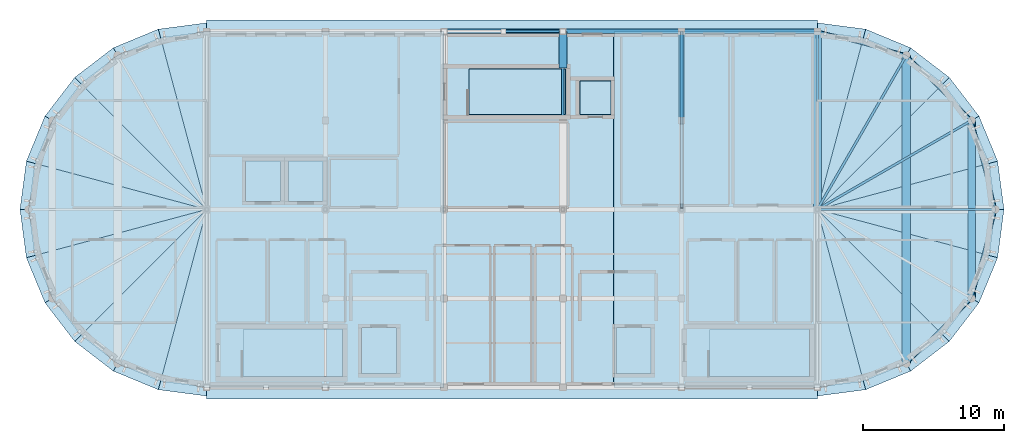
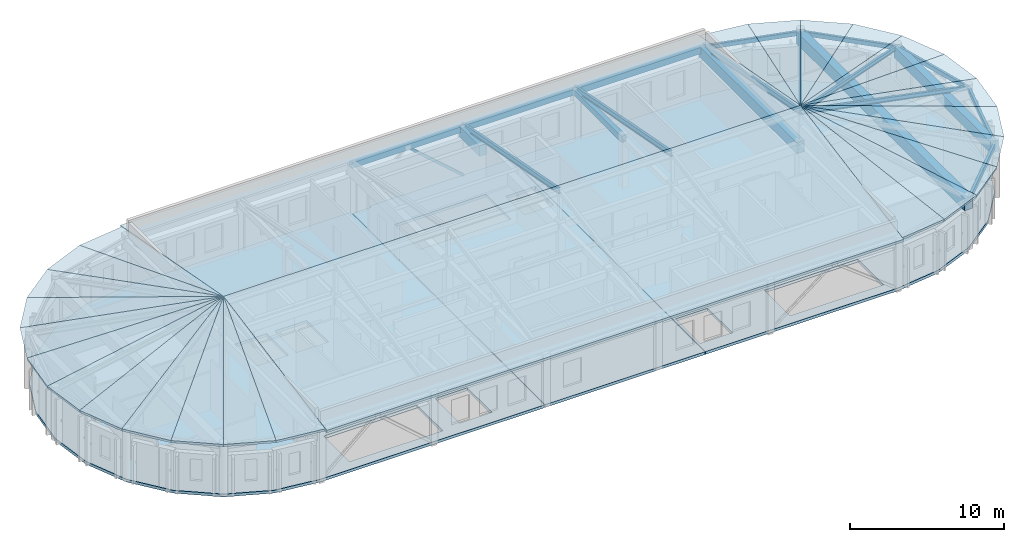
# One storey, part 5 of 11: 29 slabs, 19 beams, 1 member.
"""IFC4 building model written with IfcOpenShell, lengths in metres."""

import ifcopenshell
import ifcopenshell.guid

model = None  # the IFC model being written
_history = None  # IfcOwnerHistory: only IFC2X3 demands one
_inside = {}  # id of a spatial element -> (the spatial element, [elements in it])
_under = {}  # id of a project, library or spatial element -> (it, [spatial elements below it])
_declared = {}  # id of a project -> (the project, [libraries it declares])
_typed = {}  # id of a type object -> (the type object, [elements of that type])
_made_of = {}  # id of a material, layer set ... -> (it, [elements and type objects made of it])


def new_model(schema):
    """Start an empty IFC model of exactly this schema.

    Asked for "IFC4X3", IfcOpenShell would pick the latest addendum, in which some entities
    have other attributes; the version numbers below select the first issue.
    IFC2X3 requires an IfcOwnerHistory on every rooted entity: one is made here for all.
    """
    global model, _history
    if schema == "IFC4X3":
        model = ifcopenshell.file(schema_version=(4, 3, 0, 0))
    else:
        model = ifcopenshell.file(schema=schema)
    _inside.clear()
    _under.clear()
    _declared.clear()
    _typed.clear()
    _made_of.clear()
    _history = None
    if model.schema == "IFC2X3":
        org = make("IfcOrganization", Name="unknown")
        user = make(
            "IfcPersonAndOrganization",
            ThePerson=make("IfcPerson", FamilyName="unknown"),
            TheOrganization=org,
        )
        app = make(
            "IfcApplication",
            ApplicationDeveloper=org,
            Version="unknown",
            ApplicationFullName="unknown",
            ApplicationIdentifier="unknown",
        )
        _history = make(
            "IfcOwnerHistory",
            OwningUser=user,
            OwningApplication=app,
            ChangeAction="ADDED",
            CreationDate=0,
        )
    return model


def make(cls, **values):
    """One entity of the class cls with the attributes given. An attribute that is None is left unset."""
    return model.create_entity(
        cls, **{name: value for name, value in values.items() if value is not None}
    )


def rooted(cls, **values):
    """An entity with a GlobalId (a new one), such as an element, a storey or a relation."""
    return make(cls, GlobalId=ifcopenshell.guid.new(), OwnerHistory=_history, **values)


def si_unit(unit_type, name, prefix=None):
    """IfcSIUnit, for example si_unit("LENGTHUNIT", "METRE", prefix="MILLI")."""
    return make("IfcSIUnit", UnitType=unit_type, Prefix=prefix, Name=name)


def assignment(units):
    """IfcUnitAssignment: the units of a project."""
    return None if units is None else make("IfcUnitAssignment", Units=units)


def point(xyz):
    """IfcCartesianPoint."""
    return None if xyz is None else make("IfcCartesianPoint", Coordinates=xyz)


def direction(xyz):
    """IfcDirection."""
    return None if xyz is None else make("IfcDirection", DirectionRatios=xyz)


def frame(location, z_axis=None, x_axis=None):
    """IfcAxis2Placement3D, a coordinate frame: its origin and axes. An axis left out is left unset."""
    return make(
        "IfcAxis2Placement3D",
        Location=point(location),
        Axis=direction(z_axis),
        RefDirection=direction(x_axis),
    )


def frame_2d(location, x_axis=None):
    """IfcAxis2Placement2D, a coordinate frame in the plane: its origin and x axis."""
    return make(
        "IfcAxis2Placement2D", Location=point(location), RefDirection=direction(x_axis)
    )


def origin():
    """The frame at (0, 0, 0) with its axes left unset."""
    return frame((0.0, 0.0, 0.0))


def origin_2d():
    """The frame at (0, 0) in the plane with its x axis left unset."""
    return frame_2d((0.0, 0.0))


def place(relative_to, where):
    """IfcLocalPlacement: puts the frame where relative to a parent placement (None: the world)."""
    return make(
        "IfcLocalPlacement", PlacementRelTo=relative_to, RelativePlacement=where
    )


def context(
    kind, dimensions, precision=None, world=None, true_north=None, identifier=None
):
    """IfcGeometricRepresentationContext, for example the 3D "Model" context."""
    return make(
        "IfcGeometricRepresentationContext",
        ContextIdentifier=identifier,
        ContextType=kind,
        CoordinateSpaceDimension=dimensions,
        Precision=precision,
        WorldCoordinateSystem=world,
        TrueNorth=true_north,
    )


def subcontext(parent, identifier, kind, view, scale=None):
    """IfcGeometricRepresentationSubContext, for example "Body" below "Model"."""
    return make(
        "IfcGeometricRepresentationSubContext",
        ContextIdentifier=identifier,
        ContextType=kind,
        ParentContext=parent,
        TargetScale=scale,
        TargetView=view,
    )


def project(units=None, contexts=None):
    """IfcProject with its units and contexts."""
    return rooted(
        "IfcProject",
        Name="project",
        RepresentationContexts=contexts,
        UnitsInContext=assignment(units),
    )


def spatial(cls, under=None, at=None, **own):
    """A site, building, storey or space (cls), placed at a placement, below another one or the project."""
    s = rooted(cls, ObjectPlacement=at, **own)
    if under is not None:
        _under.setdefault(under.id(), (under, []))[1].append(s)
    return s


def polyline(points):
    """IfcPolyline through the points."""
    return make("IfcPolyline", Points=[point(p) for p in points])


def profile(cls, at=None, kind="AREA", **sizes):
    """A parametric profile (cls). Its sizes go by their IFC names, for example OverallWidth=200.0."""
    return make(cls, ProfileType=kind, Position=at, **sizes)


def rectangle(**sizes):
    """IfcRectangleProfileDef."""
    return profile("IfcRectangleProfileDef", **sizes)


def hollow_rectangle(**sizes):
    """IfcRectangleHollowProfileDef."""
    return profile("IfcRectangleHollowProfileDef", **sizes)


def i_section(**sizes):
    """IfcIShapeProfileDef."""
    return profile("IfcIShapeProfileDef", **sizes)


def outline(outer, holes=None, kind="AREA"):
    """IfcArbitraryClosedProfileDef: a profile drawn as a closed curve; with holes, ...WithVoids."""
    if holes is None:
        return make("IfcArbitraryClosedProfileDef", ProfileType=kind, OuterCurve=outer)
    return make(
        "IfcArbitraryProfileDefWithVoids",
        ProfileType=kind,
        OuterCurve=outer,
        InnerCurves=holes,
    )


def extrude(swept, where, along, depth):
    """IfcExtrudedAreaSolid: the profile swept, set in the frame where, extruded along a direction by depth."""
    return make(
        "IfcExtrudedAreaSolid",
        SweptArea=swept,
        Position=where,
        ExtrudedDirection=direction(along),
        Depth=depth,
    )


def shape(context_of_items, identifier, shape_type, items):
    """IfcShapeRepresentation: the items that make up one representation, for example the "Body"."""
    return make(
        "IfcShapeRepresentation",
        ContextOfItems=context_of_items,
        RepresentationIdentifier=identifier,
        RepresentationType=shape_type,
        Items=items,
    )


def material(Name=None, Category=None):
    """IfcMaterial."""
    return make("IfcMaterial", Name=Name, Category=Category)


def layer(
    of_material, thickness, ventilated=None, Name=None, Category=None, Priority=None
):
    """IfcMaterialLayer: one layer of a wall or slab, of a material (None: an air gap)."""
    return make(
        "IfcMaterialLayer",
        Material=of_material,
        LayerThickness=thickness,
        IsVentilated=ventilated,
        Name=Name,
        Category=Category,
        Priority=Priority,
    )


def layer_set(layers, Name=None):
    """IfcMaterialLayerSet."""
    return make("IfcMaterialLayerSet", MaterialLayers=layers, LayerSetName=Name)


def material_profile(
    of_material, cross_section, Name=None, Category=None, Priority=None
):
    """IfcMaterialProfile: a cross section and its material."""
    return make(
        "IfcMaterialProfile",
        Name=Name,
        Material=of_material,
        Profile=cross_section,
        Priority=Priority,
        Category=Category,
    )


def profile_set(profiles, Name=None, composite=None):
    """IfcMaterialProfileSet."""
    return make(
        "IfcMaterialProfileSet",
        Name=Name,
        MaterialProfiles=profiles,
        CompositeProfile=composite,
    )


def made_of(thing, what):
    """Note that an element or type object is made of a material, layer set ...; save() writes the relation."""
    if what is not None:
        _made_of.setdefault(what.id(), (what, []))[1].append(thing)
    return thing


def type_object(cls, material=None, **own):
    """A type object (cls), such as IfcWallType, which elements share."""
    return made_of(rooted(cls, **own), material)


def element(
    cls,
    number,
    at=None,
    inside=None,
    cuts=None,
    type_object=None,
    material=None,
    context=None,
    identifier="Body",
    shape_type=None,
    held_by="IfcProductDefinitionShape",
    body=None,
    shapes=None,
    **own,
):
    """One element of the class cls, such as IfcWall. Its Tag is "e" and its number.

    at: its placement. inside: the storey or other place that contains it. cuts: it is an
    opening in that element (IfcRelVoidsElement). A single representation is given by context,
    identifier, shape_type and body (its items); several are given by shapes. held_by: the class
    of the entity that holds the representations. save() writes the other relations.
    """
    e = rooted(cls, Tag="e%d" % number, ObjectPlacement=at, **own)
    if body is not None:
        shapes = [shape(context, identifier, shape_type, body)]
    if shapes is not None:
        e.Representation = make(held_by, Representations=shapes)
    if inside is not None:
        _inside.setdefault(inside.id(), (inside, []))[1].append(e)
    if cuts is not None:
        rooted(
            "IfcRelVoidsElement", RelatingBuildingElement=cuts, RelatedOpeningElement=e
        )
    if type_object is not None:
        _typed.setdefault(type_object.id(), (type_object, []))[1].append(e)
    return made_of(e, material)


def aggregate(whole, parts):
    """IfcRelAggregates: a whole, such as a stair, and the parts it consists of."""
    return rooted("IfcRelAggregates", RelatingObject=whole, RelatedObjects=parts)


def save(model, path):
    """Write the relations noted so far, then the file.

    IfcRelAggregates (storeys below a building ...), IfcRelContainedInSpatialStructure (elements
    in a storey), IfcRelDefinesByType, IfcRelAssociatesMaterial and IfcRelDeclares: one each for
    every whole, place, type object, material and project.
    """
    for whole, parts in _under.values():
        aggregate(whole, parts)
    for where, things in _inside.values():
        rooted(
            "IfcRelContainedInSpatialStructure",
            RelatedElements=things,
            RelatingStructure=where,
        )
    for kind, things in _typed.values():
        rooted("IfcRelDefinesByType", RelatedObjects=things, RelatingType=kind)
    for what, things in _made_of.values():
        rooted("IfcRelAssociatesMaterial", RelatedObjects=things, RelatingMaterial=what)
    for by, libraries in _declared.values():
        rooted("IfcRelDeclares", RelatingContext=by, RelatedDefinitions=libraries)
    model.write(path)


model = new_model("IFC4")

# Units and contexts
model_context = context("Model", 3, precision=1e-05, world=origin(), true_north=direction((0.0, 1.0)))
body_context = subcontext(model_context, "Body", "Model", "MODEL_VIEW")
ifc_project = project(units=[si_unit("LENGTHUNIT", "METRE"), si_unit("AREAUNIT", "SQUARE_METRE"), si_unit("VOLUMEUNIT", "CUBIC_METRE"), si_unit("PLANEANGLEUNIT", "RADIAN"), si_unit("MASSUNIT", "GRAM", prefix="KILO")], contexts=[model_context])

# Site, building, storey
site_placement = place(None, origin())
site = spatial("IfcSite", under=ifc_project, at=site_placement, CompositionType="ELEMENT")
building_placement = place(site_placement, origin())
building = spatial("IfcBuilding", under=site, at=building_placement, Name="Tarnavel Promenade Courthouse", CompositionType="ELEMENT")
storey_placement = place(building_placement, frame((0.0, 0.0, 35.39990234375)))
storey = spatial("IfcBuildingStorey", under=building, at=storey_placement, Name="L09", CompositionType="ELEMENT", Elevation=35.39990234375)

# Beams
ifc_material_1 = material(Name="Concrete C40/50", Category="concrete")
ifc_material_profile_1 = material_profile(ifc_material_1, rectangle(XDim=0.550048828125, YDim=0.85009765625, at=origin_2d()), Name="PT 550x850")
ifc_profile_set_1 = profile_set([ifc_material_profile_1], Name="Concrete C40/50")
beam_type_1 = type_object("IfcBeamType", Name="Concrete C40/50 BM-PT-550x850 (PT 550x850)", PredefinedType="T_BEAM", material=ifc_profile_set_1)
beam_1_placement = place(storey_placement, frame((84.0, 101.7900390625, 3.53515625), z_axis=(0.0, 1.0, 0.0), x_axis=(-1.0, 0.0, 0.0)))
element("IfcBeam", 1, at=beam_1_placement, inside=storey, type_object=beam_type_1, Name="L09 Transverse Girder 2670", PredefinedType="T_BEAM", context=body_context, shape_type="SweptSolid", body=[
    extrude(rectangle(XDim=0.550048828125, YDim=0.85009765625, at=origin_2d()), origin(), (0.0, 0.0, 1.0), 2.60986328125),
])
beam_2_placement = place(storey_placement, frame((102.0, 91.800048828125, 3.53515625), z_axis=(0.0, 1.0, 0.0), x_axis=(-1.0, 0.0, 0.0)))
element("IfcBeam", 2, at=beam_2_placement, inside=storey, type_object=beam_type_1, Name="L09 Transverse Girder 2676", PredefinedType="T_BEAM", context=body_context, shape_type="SweptSolid", body=[
    extrude(rectangle(XDim=0.550048828125, YDim=0.85009765625, at=origin_2d()), origin(), (0.0, 0.0, 1.0), 12.599853515625),
])
beam_3_placement = place(storey_placement, frame((112.911865234375, 85.5, 3.53515625), z_axis=(0.0, 1.0, 0.0), x_axis=(-1.0, 0.0, 0.0)))
element("IfcBeam", 3, at=beam_3_placement, inside=storey, type_object=beam_type_1, Name="L09 Transverse Girder 2678", PredefinedType="T_BEAM", context=body_context, shape_type="SweptSolid", body=[
    extrude(rectangle(XDim=0.550048828125, YDim=0.85009765625, at=origin_2d()), origin(), (0.0, 0.0, 1.0), 12.60009765625),
])
ifc_material_profile_2 = material_profile(ifc_material_1, rectangle(XDim=0.60009765625, YDim=0.949951171875, at=origin_2d()), Name="PT 600x950")
ifc_profile_set_2 = profile_set([ifc_material_profile_2], Name="Concrete C40/50")
beam_type_2 = type_object("IfcBeamType", Name="Concrete C40/50 BM-PT-600x950 (PT 600x950)", PredefinedType="T_BEAM", material=ifc_profile_set_2)
beam_4_placement = place(storey_placement, frame((108.300048828125, 80.88818359375, 3.485107421875), z_axis=(0.0, 1.0, 0.0), x_axis=(-1.0, 0.0, 0.0)))
element("IfcBeam", 4, at=beam_4_placement, inside=storey, type_object=beam_type_2, Name="L09 Transverse Girder 2677", PredefinedType="T_BEAM", context=body_context, shape_type="SweptSolid", body=[
    extrude(rectangle(XDim=0.60009765625, YDim=0.949951171875, at=origin_2d()), origin(), (0.0, 0.0, 1.0), 21.82373046875),
])
ifc_material_profile_3 = material_profile(ifc_material_1, rectangle(XDim=0.35009765625, YDim=0.449951171875, at=origin_2d()), Name="RC 350x450")
ifc_profile_set_3 = profile_set([ifc_material_profile_3], Name="Concrete C40/50")
beam_type_3 = type_object("IfcBeamType", Name="Concrete C40/50 BM-RC-350x450 (RC 350x450)", PredefinedType="BEAM", material=ifc_profile_set_3)
beam_5_placement = place(storey_placement, frame((92.39990234375, 98.10009765625, 3.735107421875), z_axis=(0.0, 1.0, 0.0), x_axis=(-1.0, 0.0, 0.0)))
element("IfcBeam", 5, at=beam_5_placement, inside=storey, type_object=beam_type_3, Name="L09 Transverse Girder 2674", PredefinedType="BEAM", context=body_context, shape_type="SweptSolid", body=[
    extrude(rectangle(XDim=0.35009765625, YDim=0.449951171875, at=origin_2d()), origin(), (0.0, 0.0, 1.0), 6.2998046875),
])
ifc_material_profile_4 = material_profile(ifc_material_1, rectangle(XDim=0.300048828125, YDim=0.449951171875, at=origin_2d()), Name="RC 300x450")
ifc_profile_set_4 = profile_set([ifc_material_profile_4], Name="Concrete C40/50")
beam_type_4 = type_object("IfcBeamType", Name="Concrete C40/50 BM-SP-300x450 (RC 300x450)", PredefinedType="SPANDREL", material=ifc_profile_set_4)
for number, where, z_axis, x_axis, name in (
    (6, (75.60009765625, 104.39990234375, 3.735107421875), (1.0, 0.0, 0.0), (0.0, 1.0, 0.0), "L09 Primary Longitudinal Beam 2653"),
    (7, (84.0, 104.39990234375, 3.735107421875), (1.0, 0.0, 0.0), (0.0, 1.0, 0.0), "L09 Primary Longitudinal Beam 2654"),
):
    element("IfcBeam", number, at=place(storey_placement, frame(where, z_axis=z_axis, x_axis=x_axis)), inside=storey, type_object=beam_type_4, Name=name, PredefinedType="SPANDREL", context=body_context, shape_type="SweptSolid", body=[
        extrude(rectangle(XDim=0.300048828125, YDim=0.449951171875, at=origin_2d()), origin(), (0.0, 0.0, 1.0), 8.39990234375),
    ])
ifc_material_profile_5 = material_profile(ifc_material_1, rectangle(XDim=0.300048828125, YDim=0.5, at=origin_2d()), Name="RC 300x500")
ifc_profile_set_5 = profile_set([ifc_material_profile_5], Name="Concrete C40/50")
beam_type_5 = type_object("IfcBeamType", Name="Concrete C40/50 BM-SP-300x500 (RC 300x500)", PredefinedType="SPANDREL", material=ifc_profile_set_5)
beam_6_placement = place(storey_placement, frame((92.39990234375, 104.39990234375, 3.710205078125), z_axis=(1.0, 0.0, 0.0), x_axis=(0.0, 1.0, 0.0)))
element("IfcBeam", 8, at=beam_6_placement, inside=storey, type_object=beam_type_5, Name="L09 Primary Longitudinal Beam 2655", PredefinedType="SPANDREL", context=body_context, shape_type="SweptSolid", body=[
    extrude(rectangle(XDim=0.300048828125, YDim=0.5, at=origin_2d()), origin(), (0.0, 0.0, 1.0), 9.60009765625),
])
ifc_material_2 = material(Name="Steel S355J2", Category="steel")
ifc_material_profile_6 = material_profile(ifc_material_2, i_section(OverallWidth=0.159912109375, OverallDepth=0.330078125, WebThickness=0.007568359375, FlangeThickness=0.011474609375, FilletRadius=0.01806640625, at=origin_2d()), Name="IPE 330")
ifc_profile_set_6 = profile_set([ifc_material_profile_6], Name="Steel S355J2")
beam_type_6 = type_object("IfcBeamType", Name="Steel S355J2 BM-ST-IPE330 (IPE 330)", PredefinedType="JOIST", material=ifc_profile_set_6)
for number, where, z_axis, x_axis, name in (
    (9, (114.60009765625, 91.800048828125, 3.85009765625), (-0.981323111304, 0.0, 0.192366710271), (0.0, -1.0, 0.0), "L09 E Drum Radial Roof Rafter 07"),
    (10, (112.911865234375, 98.10009765625, 3.85009765625), (-0.849847727594, -0.490666083691, 0.192368485514), (0.500004791531, -0.866022637375, 0.0), "L09 E Drum Radial Roof Rafter 09"),
    (11, (108.300048828125, 102.7119140625, 3.85009765625), (-0.490666083691, -0.849847727594, 0.192368485514), (0.866022637375, -0.500004791531, 0.0), "L09 E Drum Radial Roof Rafter 11"),
):
    element("IfcBeam", number, at=place(storey_placement, frame(where, z_axis=z_axis, x_axis=x_axis)), inside=storey, type_object=beam_type_6, Name=name, PredefinedType="JOIST", context=body_context, shape_type="SweptSolid", body=[
        extrude(i_section(OverallWidth=0.159912109375, OverallDepth=0.330078125, WebThickness=0.007568359375, FlangeThickness=0.011474609375, FilletRadius=0.01806640625, at=origin_2d()), origin(), (0.0, 0.0, 1.0), 12.83984375),
    ])
ifc_material_profile_7 = material_profile(ifc_material_2, i_section(OverallWidth=0.179931640625, OverallDepth=0.39990234375, WebThickness=0.008544921875, FlangeThickness=0.013427734375, FilletRadius=0.02099609375, at=origin_2d()), Name="IPE 400")
ifc_profile_set_7 = profile_set([ifc_material_profile_7], Name="Steel S355J2")
beam_type_7 = type_object("IfcBeamType", Name="Steel S355J2 BM-ST-IPE400 (IPE 400)", PredefinedType="BEAM", material=ifc_profile_set_7)
for number, where, z_axis, x_axis, name in (
    (12, (84.0, 91.89501953125, 6.320068359375), (0.0, 0.982511581608, -0.186201482286), (-1.0, 0.0, 0.0), "L09 Bar Roof Rafter N"),
    (13, (92.39990234375, 91.89501953125, 6.320068359375), (0.0, 0.982511581608, -0.186201482286), (-1.0, 0.0, 0.0), "L09 Bar Roof Rafter N"),
    (14, (102.0, 91.89501953125, 6.320068359375), (0.0, 0.982511581608, -0.186201482286), (-1.0, 0.0, 0.0), "L09 Bar Roof Rafter N"),
):
    element("IfcBeam", number, at=place(storey_placement, frame(where, z_axis=z_axis, x_axis=x_axis)), inside=storey, type_object=beam_type_7, Name=name, PredefinedType="BEAM", context=body_context, shape_type="SweptSolid", body=[
        extrude(i_section(OverallWidth=0.179931640625, OverallDepth=0.39990234375, WebThickness=0.008544921875, FlangeThickness=0.013427734375, FilletRadius=0.02099609375, at=origin_2d()), origin(), (0.0, 0.0, 1.0), 12.7275390625),
    ])
ifc_material_profile_8 = material_profile(ifc_material_2, hollow_rectangle(XDim=0.199951171875, YDim=0.35009765625, WallThickness=0.012451171875, InnerFilletRadius=0.012451171875, OuterFilletRadius=0.02490234375, at=origin_2d()), Name="RHS 350x200x12.5")
ifc_profile_set_8 = profile_set([ifc_material_profile_8], Name="Steel S355J2")
beam_type_8 = type_object("IfcBeamType", Name="Steel S355J2 BM-ST-RHS350 (RHS 350x200x12.5)", PredefinedType="SPANDREL", material=ifc_profile_set_8)
beam_7_placement = place(storey_placement, frame((108.300048828125, 80.88818359375, 3.78515625), z_axis=(0.707106781187, 0.707106781187, 0.0), x_axis=(-0.707106781187, 0.707106781187, 0.0)))
element("IfcBeam", 15, at=beam_7_placement, inside=storey, type_object=beam_type_8, Name="L09 Drum Ring Spandrel 2690", PredefinedType="SPANDREL", context=body_context, shape_type="SweptSolid", body=[
    extrude(hollow_rectangle(XDim=0.199951171875, YDim=0.35009765625, WallThickness=0.012451171875, InnerFilletRadius=0.012451171875, OuterFilletRadius=0.02490234375, at=origin_2d()), origin(), (0.0, 0.0, 1.0), 6.52197265625),
])
for number, where, z_axis, x_axis, name in (
    (16, (112.911865234375, 85.5, 3.78515625), (0.258838989821, 0.965920481897, 0.0), (-0.965920481897, 0.258838989821, 0.0), "L09 Drum Ring Spandrel 2691"),
    (17, (114.60009765625, 91.800048828125, 3.78515625), (-0.258838989821, 0.965920481897, 0.0), (-0.965920481897, -0.258838989821, 0.0), "L09 Drum Ring Spandrel 2692"),
):
    element("IfcBeam", number, at=place(storey_placement, frame(where, z_axis=z_axis, x_axis=x_axis)), inside=storey, type_object=beam_type_8, Name=name, PredefinedType="SPANDREL", context=body_context, shape_type="SweptSolid", body=[
        extrude(hollow_rectangle(XDim=0.199951171875, YDim=0.35009765625, WallThickness=0.012451171875, InnerFilletRadius=0.012451171875, OuterFilletRadius=0.02490234375, at=origin_2d()), origin(), (0.0, 0.0, 1.0), 6.522216796875),
    ])
beam_8_placement = place(storey_placement, frame((112.911865234375, 98.10009765625, 3.78515625), z_axis=(-0.707106781187, 0.707106781187, 0.0), x_axis=(-0.707106781187, -0.707106781187, 0.0)))
element("IfcBeam", 18, at=beam_8_placement, inside=storey, type_object=beam_type_8, Name="L09 Drum Ring Spandrel 2693", PredefinedType="SPANDREL", context=body_context, shape_type="SweptSolid", body=[
    extrude(hollow_rectangle(XDim=0.199951171875, YDim=0.35009765625, WallThickness=0.012451171875, InnerFilletRadius=0.012451171875, OuterFilletRadius=0.02490234375, at=origin_2d()), origin(), (0.0, 0.0, 1.0), 6.52197265625),
])
beam_9_placement = place(storey_placement, frame((108.300048828125, 102.7119140625, 3.78515625), z_axis=(-0.965929839907, 0.258804065612, 0.0), x_axis=(-0.258804065612, -0.965929839907, 0.0)))
element("IfcBeam", 19, at=beam_9_placement, inside=storey, type_object=beam_type_8, Name="L09 Drum Ring Spandrel 2694", PredefinedType="SPANDREL", context=body_context, shape_type="SweptSolid", body=[
    extrude(hollow_rectangle(XDim=0.199951171875, YDim=0.35009765625, WallThickness=0.012451171875, InnerFilletRadius=0.012451171875, OuterFilletRadius=0.02490234375, at=origin_2d()), origin(), (0.0, 0.0, 1.0), 6.522216796875),
])

# Member
ifc_material_profile_9 = material_profile(ifc_material_2, hollow_rectangle(XDim=0.199951171875, YDim=0.199951171875, WallThickness=0.012451171875, InnerFilletRadius=0.012451171875, OuterFilletRadius=0.02490234375, at=origin_2d()), Name="SHS 200x200x12.5")
ifc_profile_set_9 = profile_set([ifc_material_profile_9], Name="Steel S355J2")
member_type = type_object("IfcMemberType", Name="Steel S355J2 MEM-BR-SHS200 (SHS 200x200x12.5)", PredefinedType="BRACE", material=ifc_profile_set_9)
member_placement = place(storey_placement, frame((84.0, 104.39990234375, 0.0), z_axis=(-0.749451235067, 0.0, 0.662059548876), x_axis=(0.0, -1.0, 0.0)))
element("IfcMember", 20, at=member_placement, inside=storey, type_object=member_type, Name="L09 V5 Chevron Brace B 027", PredefinedType="BRACE", context=body_context, shape_type="SweptSolid", body=[
    extrude(hollow_rectangle(XDim=0.199951171875, YDim=0.199951171875, WallThickness=0.012451171875, InnerFilletRadius=0.012451171875, OuterFilletRadius=0.02490234375, at=origin_2d()), origin(), (0.0, 0.0, 1.0), 5.60400390625),
])

# Slabs
ifc_material_3 = material(Name="Concrete C35/45", Category="concrete")
ifc_layer_1 = layer(ifc_material_3, 0.219970703125)
ifc_layer_set_1 = layer_set([ifc_layer_1], Name="Concrete C35/45")
slab_type_1 = type_object("IfcSlabType", Name="Concrete C35/45 SLB-FLR-220 (220 mm)", PredefinedType="FLOOR", material=ifc_layer_set_1)
slab_1_placement = place(storey_placement, frame((0.0, 0.0, -0.219970703125)))
element("IfcSlab", 21, at=slab_1_placement, inside=storey, type_object=slab_type_1, Name="L09 Stacked Courts West Drum Floor Slab", PredefinedType="FLOOR", context=body_context, shape_type="SweptSolid", body=[
    extrude(outline(polyline([(75.580078125, 79.219970703125), (75.580078125, 104.3798828125), (58.800048828125, 104.39990234375), (55.538818359375, 103.970703125), (52.5, 102.7119140625), (49.890380859375, 100.70947265625), (47.88818359375, 98.10009765625), (46.62939453125, 95.06103515625), (46.199951171875, 91.800048828125), (46.62939453125, 88.538818359375), (47.88818359375, 85.5), (49.890380859375, 82.890380859375), (52.5, 80.88818359375), (55.538818359375, 79.62939453125), (58.800048828125, 79.199951171875), (75.580078125, 79.219970703125)]), holes=[polyline([(61.405029296875, 80.0), (68.39990234375, 80.0), (68.39990234375, 83.320068359375), (61.405029296875, 83.320068359375), (61.405029296875, 80.0)]), polyline([(69.800048828125, 80.199951171875), (72.199951171875, 80.199951171875), (72.199951171875, 83.39990234375), (69.800048828125, 83.39990234375), (69.800048828125, 80.199951171875)]), polyline([(61.60009765625, 92.39990234375), (64.0, 92.39990234375), (64.0, 95.199951171875), (61.60009765625, 95.199951171875), (61.60009765625, 92.39990234375)]), polyline([(64.60009765625, 92.39990234375), (67.0, 92.39990234375), (67.0, 95.199951171875), (64.60009765625, 95.199951171875), (64.60009765625, 92.39990234375)])]), origin(), (0.0, 0.0, 1.0), 0.219970703125),
])
slab_2_placement = place(storey_placement, frame((0.0, 0.0, -0.219970703125)))
element("IfcSlab", 22, at=slab_2_placement, inside=storey, type_object=slab_type_1, Name="L09 Stacked Courts Central Floor Slab", PredefinedType="FLOOR", context=body_context, shape_type="SweptSolid", body=[
    extrude(outline(polyline([(75.6201171875, 79.219970703125), (87.580078125, 79.219970703125), (87.580078125, 104.3798828125), (77.02001953125, 104.3798828125), (77.02001953125, 104.219970703125), (75.6201171875, 104.219970703125), (75.6201171875, 79.219970703125)]), holes=[polyline([(77.364990234375, 98.5), (84.199951171875, 98.5), (84.199951171875, 101.739990234375), (77.364990234375, 101.739990234375), (77.364990234375, 98.5)]), polyline([(85.199951171875, 98.5), (87.39990234375, 98.5), (87.39990234375, 100.89990234375), (85.199951171875, 100.89990234375), (85.199951171875, 98.5)])]), origin(), (0.0, 0.0, 1.0), 0.219970703125),
])
slab_3_placement = place(storey_placement, frame((0.0, 0.0, -0.219970703125)))
element("IfcSlab", 23, at=slab_3_placement, inside=storey, type_object=slab_type_1, Name="L09 Stacked Courts East Drum Floor Slab", PredefinedType="FLOOR", context=body_context, shape_type="SweptSolid", body=[
    extrude(outline(polyline([(87.6201171875, 104.3798828125), (87.6201171875, 79.219970703125), (102.0, 79.199951171875), (105.26123046875, 79.62939453125), (108.300048828125, 80.88818359375), (110.909423828125, 82.890380859375), (112.911865234375, 85.5), (114.170654296875, 88.538818359375), (114.60009765625, 91.800048828125), (114.170654296875, 95.06103515625), (112.911865234375, 98.10009765625), (110.909423828125, 100.70947265625), (108.300048828125, 102.7119140625), (105.26123046875, 103.970703125), (102.0, 104.39990234375), (87.6201171875, 104.3798828125)]), holes=[polyline([(94.405029296875, 80.0), (101.39990234375, 80.0), (101.39990234375, 83.320068359375), (94.405029296875, 83.320068359375), (94.405029296875, 80.0)]), polyline([(87.800048828125, 80.199951171875), (90.199951171875, 80.199951171875), (90.199951171875, 83.39990234375), (87.800048828125, 83.39990234375), (87.800048828125, 80.199951171875)])]), origin(), (0.0, 0.0, 1.0), 0.219970703125),
])
ifc_layer_2 = layer(ifc_material_3, 0.215087890625)
ifc_layer_set_2 = layer_set([ifc_layer_2], Name="Concrete C35/45")
slab_type_2 = type_object("IfcSlabType", Name="Concrete C35/45 SLB-RF-215 (215 mm)", PredefinedType="ROOF", material=ifc_layer_set_2)
slab_4_placement = place(storey_placement, frame((58.800048828125, 105.0, 4.35009765625), z_axis=(-0.024392215239, 0.18531197614, 0.982376959896), x_axis=(-0.991448024656, -0.130502162456, 0.0)))
element("IfcSlab", 24, at=slab_4_placement, inside=storey, type_object=slab_type_2, Name="L09 W Copper Drum Conical Roof Sector 01", PredefinedType="ROOF", context=body_context, shape_type="SweptSolid", body=[
    extrude(outline(polyline([(0.0, 0.0), (3.4459737891309037, 0.0), (1.722622172249891, 13.321836778719371), (0.0, 0.0)])), origin(), (0.0, 0.0, -1.0), 0.215087890625),
])
slab_5_placement = place(storey_placement, frame((55.383544921875, 104.55029296875, 4.35009765625), z_axis=(-0.07153498449, 0.172679784847, 0.982376932699), x_axis=(-0.923863121095, -0.382723050626, 0.0)))
element("IfcSlab", 25, at=slab_5_placement, inside=storey, type_object=slab_type_2, Name="L09 W Copper Drum Conical Roof Sector 02", PredefinedType="ROOF", context=body_context, shape_type="SweptSolid", body=[
    extrude(outline(polyline([(0.0, 0.0), (3.4459582564847153, 0.0), (1.723430371657734, 13.321826590535332), (0.0, 0.0)])), origin(), (0.0, 0.0, -1.0), 0.215087890625),
])
slab_6_placement = place(storey_placement, frame((52.199951171875, 103.2314453125, 4.35009765625), z_axis=(-0.113786422697, 0.148285215892, 0.982376783499), x_axis=(-0.79334513726, -0.608772119258, 0.0)))
element("IfcSlab", 26, at=slab_6_placement, inside=storey, type_object=slab_type_2, Name="L09 W Copper Drum Conical Roof Sector 03", PredefinedType="ROOF", context=body_context, shape_type="SweptSolid", body=[
    extrude(outline(polyline([(0.0, 0.0), (3.445716687149708, 0.0), (1.7229600828500402, 13.32177069969327), (0.0, 0.0)])), origin(), (0.0, 0.0, -1.0), 0.215087890625),
])
slab_7_placement = place(storey_placement, frame((49.46630859375, 101.1337890625, 4.35009765625), z_axis=(-0.148283481653, 0.113788172696, 0.982376842573), x_axis=(-0.608782493242, -0.793337176693, 0.0)))
element("IfcSlab", 27, at=slab_7_placement, inside=storey, type_object=slab_type_2, Name="L09 W Copper Drum Conical Roof Sector 04", PredefinedType="ROOF", context=body_context, shape_type="SweptSolid", body=[
    extrude(outline(polyline([(0.0, 0.0), (3.446059001227659, 0.0), (1.7225854743688327, 13.321792828908492), (0.0, 0.0)])), origin(), (0.0, 0.0, -1.0), 0.215087890625),
])
slab_8_placement = place(storey_placement, frame((47.368408203125, 98.39990234375, 4.35009765625), z_axis=(-0.172684220374, 0.071523579313, 0.982376983462), x_axis=(-0.382662577423, -0.923888170635, 0.0)))
element("IfcSlab", 28, at=slab_8_placement, inside=storey, type_object=slab_type_2, Name="L09 W Copper Drum Conical Roof Sector 05", PredefinedType="ROOF", context=body_context, shape_type="SweptSolid", body=[
    extrude(outline(polyline([(0.0, 0.0), (3.445864825621817, 0.0), (1.723065525270938, 13.321845606737972), (0.0, 0.0)])), origin(), (0.0, 0.0, -1.0), 0.215087890625),
])
slab_9_placement = place(storey_placement, frame((46.0498046875, 95.21630859375, 4.35009765625), z_axis=(-0.185311968261, 0.024393957374, 0.982376918124), x_axis=(-0.130511329852, -0.991446817928, 0.0)))
element("IfcSlab", 29, at=slab_9_placement, inside=storey, type_object=slab_type_2, Name="L09 W Copper Drum Conical Roof Sector 06", PredefinedType="ROOF", context=body_context, shape_type="SweptSolid", body=[
    extrude(outline(polyline([(0.0, 0.0), (3.4457317365378097, 0.0), (1.722988555110305, 13.321821130686752), (0.0, 0.0)])), origin(), (0.0, 0.0, -1.0), 0.215087890625),
])
slab_10_placement = place(storey_placement, frame((45.60009765625, 91.800048828125, 4.35009765625), z_axis=(-0.18531197614, -0.024392215239, 0.982376959896), x_axis=(0.130502162456, -0.991448024656, 0.0)))
element("IfcSlab", 30, at=slab_10_placement, inside=storey, type_object=slab_type_2, Name="L09 W Copper Drum Conical Roof Sector 07", PredefinedType="ROOF", context=body_context, shape_type="SweptSolid", body=[
    extrude(outline(polyline([(0.0, 0.0), (3.4459737891309037, 0.0), (1.722622172249891, 13.321836778719371), (0.0, 0.0)])), origin(), (0.0, 0.0, -1.0), 0.215087890625),
])
slab_11_placement = place(storey_placement, frame((46.0498046875, 88.383544921875, 4.35009765625), z_axis=(-0.172683030723, -0.071523086575, 0.982377228455), x_axis=(0.382662577423, -0.923888170635, 0.0)))
element("IfcSlab", 31, at=slab_11_placement, inside=storey, type_object=slab_type_2, Name="L09 W Copper Drum Conical Roof Sector 08", PredefinedType="ROOF", context=body_context, shape_type="SweptSolid", body=[
    extrude(outline(polyline([(0.0, 0.0), (3.445864825621817, -2.220446049250313e-16), (1.72257374171547, 13.321937383826683), (0.0, 0.0)])), origin(), (0.0, 0.0, -1.0), 0.215087890625),
])
slab_12_placement = place(storey_placement, frame((47.368408203125, 85.199951171875, 4.35009765625), z_axis=(-0.148277761276, -0.113793945043, 0.982377037386), x_axis=(0.608816711234, -0.793310917687, 0.0)))
element("IfcSlab", 32, at=slab_12_placement, inside=storey, type_object=slab_type_2, Name="L09 W Copper Drum Conical Roof Sector 09", PredefinedType="ROOF", context=body_context, shape_type="SweptSolid", body=[
    extrude(outline(polyline([(0.0, 0.0), (3.4458653185988597, 0.0), (1.723844320816184, 13.321865806862784), (0.0, 0.0)])), origin(), (0.0, 0.0, -1.0), 0.215087890625),
])
slab_13_placement = place(storey_placement, frame((49.46630859375, 82.46630859375, 4.35009765625), z_axis=(-0.113793945043, -0.148277761276, 0.982377037386), x_axis=(0.793310917687, -0.608816711234, 0.0)))
element("IfcSlab", 33, at=slab_13_placement, inside=storey, type_object=slab_type_2, Name="L09 W Copper Drum Conical Roof Sector 10", PredefinedType="ROOF", context=body_context, shape_type="SweptSolid", body=[
    extrude(outline(polyline([(0.0, 0.0), (3.4458653185988597, 0.0), (1.7220209977826757, 13.321865806862784), (0.0, 0.0)])), origin(), (0.0, 0.0, -1.0), 0.215087890625),
])
slab_14_placement = place(storey_placement, frame((52.199951171875, 80.368408203125, 4.35009765625), z_axis=(-0.071523086575, -0.172683030723, 0.982377228455), x_axis=(0.923888170635, -0.382662577423, 0.0)))
element("IfcSlab", 34, at=slab_14_placement, inside=storey, type_object=slab_type_2, Name="L09 W Copper Drum Conical Roof Sector 11", PredefinedType="ROOF", context=body_context, shape_type="SweptSolid", body=[
    extrude(outline(polyline([(0.0, 0.0), (3.445864825621817, 2.220446049250313e-16), (1.7232910839063473, 13.321937383826683), (0.0, 0.0)])), origin(), (0.0, 0.0, -1.0), 0.215087890625),
])
slab_15_placement = place(storey_placement, frame((55.383544921875, 79.0498046875, 4.35009765625), z_axis=(-0.024392215239, -0.18531197614, 0.982376959896), x_axis=(0.991448024656, -0.130502162456, 0.0)))
element("IfcSlab", 35, at=slab_15_placement, inside=storey, type_object=slab_type_2, Name="L09 W Copper Drum Conical Roof Sector 12", PredefinedType="ROOF", context=body_context, shape_type="SweptSolid", body=[
    extrude(outline(polyline([(0.0, 0.0), (3.4459737891309037, 0.0), (1.7233516168810128, 13.321836778719371), (0.0, 0.0)])), origin(), (0.0, 0.0, -1.0), 0.215087890625),
])
slab_16_placement = place(storey_placement, frame((102.0, 78.60009765625, 4.35009765625), z_axis=(0.024392215239, -0.18531197614, 0.982376959896), x_axis=(0.991448024656, 0.130502162456, 0.0)))
element("IfcSlab", 36, at=slab_16_placement, inside=storey, type_object=slab_type_2, Name="L09 E Copper Drum Conical Roof Sector 01", PredefinedType="ROOF", context=body_context, shape_type="SweptSolid", body=[
    extrude(outline(polyline([(0.0, 0.0), (3.4459737891309037, 0.0), (1.722622172249891, 13.321836778719371), (0.0, 0.0)])), origin(), (0.0, 0.0, -1.0), 0.215087890625),
])
slab_17_placement = place(storey_placement, frame((105.41650390625, 79.0498046875, 4.35009765625), z_axis=(0.071523086575, -0.172683030723, 0.982377228455), x_axis=(0.923888170635, 0.382662577423, 0.0)))
element("IfcSlab", 37, at=slab_17_placement, inside=storey, type_object=slab_type_2, Name="L09 E Copper Drum Conical Roof Sector 02", PredefinedType="ROOF", context=body_context, shape_type="SweptSolid", body=[
    extrude(outline(polyline([(0.0, 0.0), (3.445864825621817, -2.220446049250313e-16), (1.72257374171547, 13.321937383826683), (0.0, 0.0)])), origin(), (0.0, 0.0, -1.0), 0.215087890625),
])
slab_18_placement = place(storey_placement, frame((108.60009765625, 80.368408203125, 4.35009765625), z_axis=(0.113793945043, -0.148277761276, 0.982377037386), x_axis=(0.793310917687, 0.608816711234, 0.0)))
element("IfcSlab", 38, at=slab_18_placement, inside=storey, type_object=slab_type_2, Name="L09 E Copper Drum Conical Roof Sector 03", PredefinedType="ROOF", context=body_context, shape_type="SweptSolid", body=[
    extrude(outline(polyline([(0.0, 0.0), (3.4458653185988597, 0.0), (1.723844320816184, 13.321865806862784), (0.0, 0.0)])), origin(), (0.0, 0.0, -1.0), 0.215087890625),
])
slab_19_placement = place(storey_placement, frame((111.333740234375, 82.46630859375, 4.35009765625), z_axis=(0.148277761276, -0.113793945043, 0.982377037386), x_axis=(0.608816711234, 0.793310917687, 0.0)))
element("IfcSlab", 39, at=slab_19_placement, inside=storey, type_object=slab_type_2, Name="L09 E Copper Drum Conical Roof Sector 04", PredefinedType="ROOF", context=body_context, shape_type="SweptSolid", body=[
    extrude(outline(polyline([(0.0, 0.0), (3.4458653185988597, 0.0), (1.7220209977826757, 13.321865806862784), (0.0, 0.0)])), origin(), (0.0, 0.0, -1.0), 0.215087890625),
])
slab_20_placement = place(storey_placement, frame((113.431640625, 85.199951171875, 4.35009765625), z_axis=(0.172683030723, -0.071523086575, 0.982377228455), x_axis=(0.382662577423, 0.923888170635, 0.0)))
element("IfcSlab", 40, at=slab_20_placement, inside=storey, type_object=slab_type_2, Name="L09 E Copper Drum Conical Roof Sector 05", PredefinedType="ROOF", context=body_context, shape_type="SweptSolid", body=[
    extrude(outline(polyline([(0.0, 0.0), (3.445864825621817, 2.220446049250313e-16), (1.7232910839063473, 13.321937383826683), (0.0, 0.0)])), origin(), (0.0, 0.0, -1.0), 0.215087890625),
])
slab_21_placement = place(storey_placement, frame((114.750244140625, 88.383544921875, 4.35009765625), z_axis=(0.18531197614, -0.024392215239, 0.982376959896), x_axis=(0.130502162456, 0.991448024656, 0.0)))
element("IfcSlab", 41, at=slab_21_placement, inside=storey, type_object=slab_type_2, Name="L09 E Copper Drum Conical Roof Sector 06", PredefinedType="ROOF", context=body_context, shape_type="SweptSolid", body=[
    extrude(outline(polyline([(0.0, 0.0), (3.4459737891309037, 0.0), (1.7233516168810128, 13.321836778719371), (0.0, 0.0)])), origin(), (0.0, 0.0, -1.0), 0.215087890625),
])
slab_22_placement = place(storey_placement, frame((115.199951171875, 91.800048828125, 4.35009765625), z_axis=(0.185311968261, 0.024393957374, 0.982376918124), x_axis=(-0.130511329852, 0.991446817928, 0.0)))
element("IfcSlab", 42, at=slab_22_placement, inside=storey, type_object=slab_type_2, Name="L09 E Copper Drum Conical Roof Sector 07", PredefinedType="ROOF", context=body_context, shape_type="SweptSolid", body=[
    extrude(outline(polyline([(0.0, 0.0), (3.4457317365378097, 0.0), (1.7227431814275045, 13.321821130686754), (0.0, 0.0)])), origin(), (0.0, 0.0, -1.0), 0.215087890625),
])
slab_23_placement = place(storey_placement, frame((114.750244140625, 95.21630859375, 4.35009765625), z_axis=(0.172684220374, 0.071523579313, 0.982376983462), x_axis=(-0.382662577423, 0.923888170635, 0.0)))
element("IfcSlab", 43, at=slab_23_placement, inside=storey, type_object=slab_type_2, Name="L09 E Copper Drum Conical Roof Sector 08", PredefinedType="ROOF", context=body_context, shape_type="SweptSolid", body=[
    extrude(outline(polyline([(0.0, 0.0), (3.445864825621817, 0.0), (1.722799300350879, 13.32184560673797), (0.0, 0.0)])), origin(), (0.0, 0.0, -1.0), 0.215087890625),
])
slab_24_placement = place(storey_placement, frame((113.431640625, 98.39990234375, 4.35009765625), z_axis=(0.148283481653, 0.113788172696, 0.982376842573), x_axis=(-0.608782493242, 0.793337176693, 0.0)))
element("IfcSlab", 44, at=slab_24_placement, inside=storey, type_object=slab_type_2, Name="L09 E Copper Drum Conical Roof Sector 09", PredefinedType="ROOF", context=body_context, shape_type="SweptSolid", body=[
    extrude(outline(polyline([(0.0, 0.0), (3.446059001227659, 0.0), (1.7234735268588253, 13.321792828908494), (0.0, 0.0)])), origin(), (0.0, 0.0, -1.0), 0.215087890625),
])
slab_25_placement = place(storey_placement, frame((111.333740234375, 101.1337890625, 4.35009765625), z_axis=(0.113786422697, 0.148285215892, 0.982376783499), x_axis=(-0.79334513726, 0.608772119258, 0.0)))
element("IfcSlab", 45, at=slab_25_placement, inside=storey, type_object=slab_type_2, Name="L09 E Copper Drum Conical Roof Sector 10", PredefinedType="ROOF", context=body_context, shape_type="SweptSolid", body=[
    extrude(outline(polyline([(0.0, 0.0), (3.445716687149708, 0.0), (1.7227566042996676, 13.32177069969327), (0.0, 0.0)])), origin(), (0.0, 0.0, -1.0), 0.215087890625),
])
slab_26_placement = place(storey_placement, frame((108.60009765625, 103.2314453125, 4.35009765625), z_axis=(0.07153498449, 0.172679784847, 0.982376932699), x_axis=(-0.923863121095, 0.382723050626, 0.0)))
element("IfcSlab", 46, at=slab_26_placement, inside=storey, type_object=slab_type_2, Name="L09 E Copper Drum Conical Roof Sector 11", PredefinedType="ROOF", context=body_context, shape_type="SweptSolid", body=[
    extrude(outline(polyline([(0.0, 0.0), (3.4459582564847153, 0.0), (1.722527884826981, 13.321826590535332), (0.0, 0.0)])), origin(), (0.0, 0.0, -1.0), 0.215087890625),
])
slab_27_placement = place(storey_placement, frame((105.41650390625, 104.55029296875, 4.35009765625), z_axis=(0.024392215239, 0.18531197614, 0.982376959896), x_axis=(-0.991448024656, 0.130502162456, 0.0)))
element("IfcSlab", 47, at=slab_27_placement, inside=storey, type_object=slab_type_2, Name="L09 E Copper Drum Conical Roof Sector 12", PredefinedType="ROOF", context=body_context, shape_type="SweptSolid", body=[
    extrude(outline(polyline([(0.0, 0.0), (3.4459737891309037, 0.0), (1.7233516168810128, 13.321836778719371), (0.0, 0.0)])), origin(), (0.0, 0.0, -1.0), 0.215087890625),
])
ifc_layer_3 = layer(ifc_material_3, 0.235107421875)
ifc_layer_set_3 = layer_set([ifc_layer_3], Name="Concrete C35/45")
slab_type_3 = type_object("IfcSlabType", Name="Concrete C35/45 SLB-RF-235 (235 mm)", PredefinedType="ROOF", material=ifc_layer_set_3)
slab_28_placement = place(storey_placement, frame((58.800048828125, 78.39990234375, 4.35009765625), z_axis=(0.0, -0.18269089083, 0.983170401511), x_axis=(1.0, 0.0, 0.0)))
element("IfcSlab", 48, at=slab_28_placement, inside=storey, type_object=slab_type_3, Name="L09 Stacked Courts Bar South Ottoman Pitched Copper Roof", PredefinedType="ROOF", context=body_context, shape_type="SweptSolid", body=[
    extrude(outline(polyline([(0.0, 0.0), (43.199951171875, 0.0), (43.199951171875, 13.629525933428154), (0.0, 13.629525933428154), (0.0, 0.0)])), origin(), (0.0, 0.0, -1.0), 0.235107421875),
])
slab_29_placement = place(storey_placement, frame((58.800048828125, 91.800048828125, 6.840087890625), z_axis=(0.0, 0.182694108286, 0.983169803644), x_axis=(1.0, 0.0, 0.0)))
element("IfcSlab", 49, at=slab_29_placement, inside=storey, type_object=slab_type_3, Name="L09 Stacked Courts Bar North Ottoman Pitched Copper Roof", PredefinedType="ROOF", context=body_context, shape_type="SweptSolid", body=[
    extrude(outline(polyline([(0.0, 0.0), (43.199951171875, 0.0), (43.199951171875, 13.629285901664828), (0.0, 13.629285901664828), (0.0, 0.0)])), origin(), (0.0, 0.0, -1.0), 0.235107421875),
])

save(model, "model.ifc")
